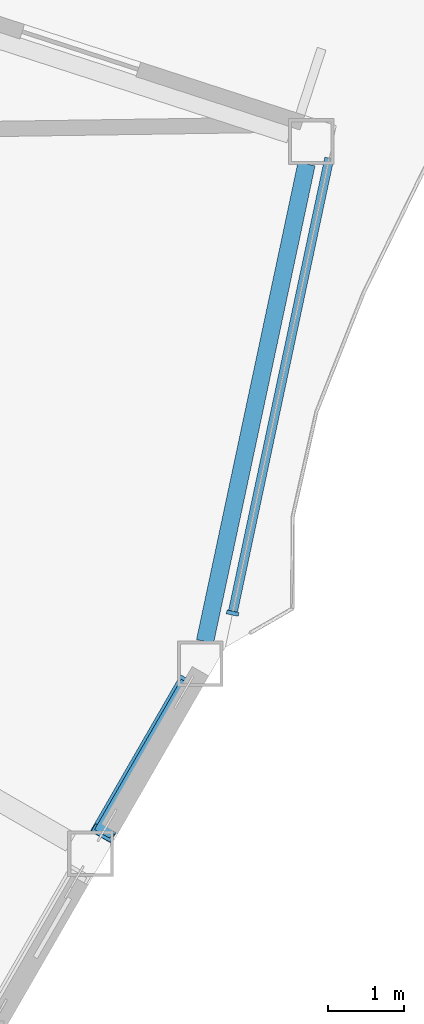
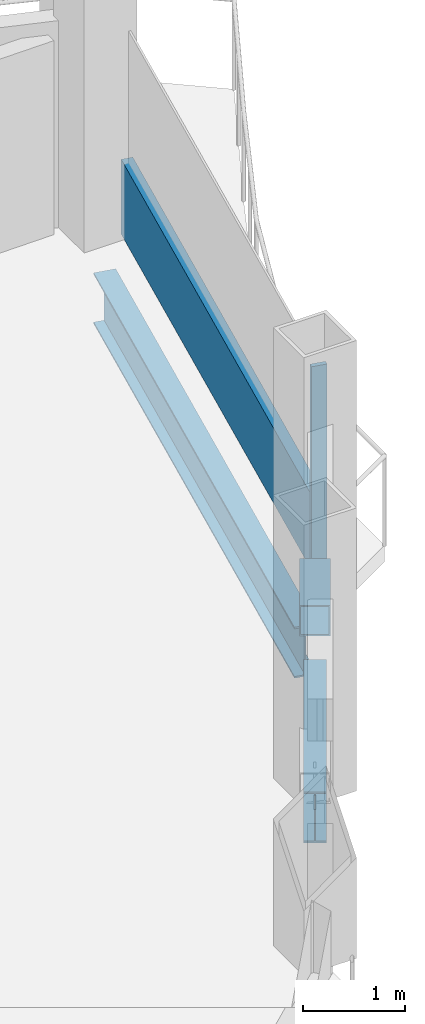
# One storey, part 8 of 26: 3 members, 2 beams, 1 element without a shape of its own.
"""IFC4 building model written with IfcOpenShell, lengths in metres."""

from ifc_helpers import new_model, si_unit, direction, frame, origin, origin_2d, place, context, subcontext, project, spatial, rectangle, hollow_rectangle, i_section, extrude, material, layer, layer_set, material_profile, profile_set, type_object, element, aggregate, save


model = new_model("IFC4")

# Units and contexts
model_context = context("Model", 3, precision=1e-05, world=origin(), true_north=direction((0.0, 1.0)))
body_context = subcontext(model_context, "Body", "Model", "MODEL_VIEW")
ifc_project = project(units=[si_unit("LENGTHUNIT", "METRE"), si_unit("AREAUNIT", "SQUARE_METRE"), si_unit("VOLUMEUNIT", "CUBIC_METRE"), si_unit("PLANEANGLEUNIT", "RADIAN"), si_unit("MASSUNIT", "GRAM", prefix="KILO")], contexts=[model_context])

# Site, building, storey
site_placement = place(None, origin())
site = spatial("IfcSite", under=ifc_project, at=site_placement, CompositionType="ELEMENT")
building_placement = place(site_placement, origin())
building = spatial("IfcBuilding", under=site, at=building_placement, Name="Cormorant Prow Tower", CompositionType="ELEMENT")
storey_placement = place(building_placement, frame((0.0, 0.0, 329.0)))
storey = spatial("IfcBuildingStorey", under=building, at=storey_placement, Name="L73", CompositionType="ELEMENT", Elevation=329.0)

# Member
ifc_material_1 = material(Name="Structural steel ASTM A500 Gr C", Category="steel")
ifc_material_profile_1 = material_profile(ifc_material_1, hollow_rectangle(XDim=0.3046875, YDim=0.3046875, WallThickness=0.01171875, at=origin_2d()), Name="HSS12x12x1/2")
ifc_profile_set_1 = profile_set([ifc_material_profile_1], Name="Structural steel ASTM A500 Gr C")
member_type_1 = type_object("IfcMemberType", Name="Chamfer brace HSS12x12x1/2", PredefinedType="BRACE", material=ifc_profile_set_1)
member_1_placement = place(storey_placement, frame((28.711669921875, -13.621826171875, 0.7412109375), z_axis=(-0.456265706889, -0.790324476185, 0.408911759503), x_axis=(0.866038851724, -0.499976706761, 0.0)))
element("IfcMember", 1, at=member_1_placement, inside=storey, type_object=member_type_1, Name="Chamfer brace BR3 at ESE01 L73", PredefinedType="BRACE", context=body_context, shape_type="SweptSolid", body=[
    extrude(hollow_rectangle(XDim=0.3046875, YDim=0.3046875, WallThickness=0.01171875, at=origin_2d()), origin(), (0.0, 0.0, 1.0), 2.459228515625),
])

# Curtain wall, members
ifc_material_2 = material(Name="Aluminium 6063-T6", Category="aluminium")
ifc_layer = layer(ifc_material_2, 0.159912109375)
ifc_layer_set = layer_set([ifc_layer], Name="Aluminium 6063-T6")
curtain_wall_type = type_object("IfcCurtainWallType", Name="Residential unitised curtain wall 160", PredefinedType="NOTDEFINED", material=ifc_layer_set)
curtain_wall_placement = place(storey_placement, origin())
curtain_wall = element("IfcCurtainWall", 2, at=curtain_wall_placement, inside=storey, type_object=curtain_wall_type, Name="Residential curtain wall ENE00", PredefinedType="NOTDEFINED")
ifc_material_3 = material(Name="Aluminium 6063-T6", Category="aluminium")
ifc_material_profile_2 = material_profile(ifc_material_3, rectangle(XDim=0.159912109375, YDim=0.050048828125, at=origin_2d()), Name="Residential mullion 50x160")
ifc_profile_set_2 = profile_set([ifc_material_profile_2], Name="Aluminium 6063-T6")
member_type_2 = type_object("IfcMemberType", Name="Residential mullion 50x160", PredefinedType="MULLION", material=ifc_profile_set_2)
member_2_placement = place(storey_placement, frame((29.29248046875, -12.685791015625, 0.0), z_axis=(0.0, 0.0, 1.0), x_axis=(-0.978147600676, 0.207911691091, 0.0)))
member_2 = element("IfcMember", 3, at=member_2_placement, type_object=member_type_2, Name="Residential mullion ENE00", PredefinedType="MULLION", context=body_context, shape_type="SweptSolid", body=[
    extrude(rectangle(XDim=0.159912109375, YDim=0.050048828125, at=origin_2d()), origin(), (0.0, 0.0, 1.0), 2.48779296875),
])
ifc_material_4 = material(Name="Terracotta", Category="masonry")
ifc_material_profile_3 = material_profile(ifc_material_4, rectangle(XDim=0.1201171875, YDim=0.89990234375, at=origin_2d()), Name="Residential terracotta spandrel rail 120x900")
ifc_profile_set_3 = profile_set([ifc_material_profile_3], Name="Terracotta")
member_type_3 = type_object("IfcMemberType", Name="Residential terracotta spandrel rail 120x900", PredefinedType="USERDEFINED", material=ifc_profile_set_3)
member_3_placement = place(storey_placement, frame((29.2978515625, -12.6611328125, 0.449951171875), z_axis=(0.207908765956, 0.978148222428, 0.0), x_axis=(-0.978148222428, 0.207908765956, 0.0)))
member_3 = element("IfcMember", 4, at=member_3_placement, type_object=member_type_3, Name="Residential spandrel rail ENE00", ObjectType="TRANSOM", PredefinedType="USERDEFINED", context=body_context, shape_type="SweptSolid", body=[
    extrude(rectangle(XDim=0.1201171875, YDim=0.89990234375, at=origin_2d()), origin(), (0.0, 0.0, 1.0), 6.072021484375),
])
aggregate(curtain_wall, [member_2, member_3])

# Beams
ifc_material_5 = material(Name="Structural steel ASTM A992 Gr 50", Category="steel")
ifc_material_profile_4 = material_profile(ifc_material_5, i_section(OverallWidth=0.22900390625, OverallDepth=0.612060546875, WebThickness=0.011962890625, FlangeThickness=0.01953125, at=origin_2d()), Name="W24x84")
ifc_profile_set_4 = profile_set([ifc_material_profile_4], Name="Structural steel ASTM A992 Gr 50")
beam_type = type_object("IfcBeamType", Name="Spandrel beam W24x84", PredefinedType="SPANDREL", material=ifc_profile_set_4)
beam_1_placement = place(storey_placement, frame((27.582275390625, -15.578125, -0.60595703125), z_axis=(0.500053962254, 0.865994246421, 0.0), x_axis=(-0.865994246421, 0.500053962254, 0.0)))
element("IfcBeam", 5, at=beam_1_placement, inside=storey, type_object=beam_type, Name="Spandrel beam SB3 ESE01-ENE00 L73", PredefinedType="SPANDREL", context=body_context, shape_type="SweptSolid", body=[
    extrude(i_section(OverallWidth=0.22900390625, OverallDepth=0.612060546875, WebThickness=0.011962890625, FlangeThickness=0.01953125, at=origin_2d()), origin(), (0.0, 0.0, 1.0), 2.273681640625),
])
beam_2_placement = place(storey_placement, frame((28.931640625, -13.055908203125, -0.60595703125), z_axis=(0.20791262393, 0.978147402394, 0.0), x_axis=(-0.978147402394, 0.20791262393, 0.0)))
element("IfcBeam", 6, at=beam_2_placement, inside=storey, type_object=beam_type, Name="Spandrel beam SB3 ENE00-ENE01 L73", PredefinedType="SPANDREL", context=body_context, shape_type="SweptSolid", body=[
    extrude(i_section(OverallWidth=0.22900390625, OverallDepth=0.612060546875, WebThickness=0.011962890625, FlangeThickness=0.01953125, at=origin_2d()), origin(), (0.0, 0.0, 1.0), 6.396240234375),
])

save(model, "model.ifc")
